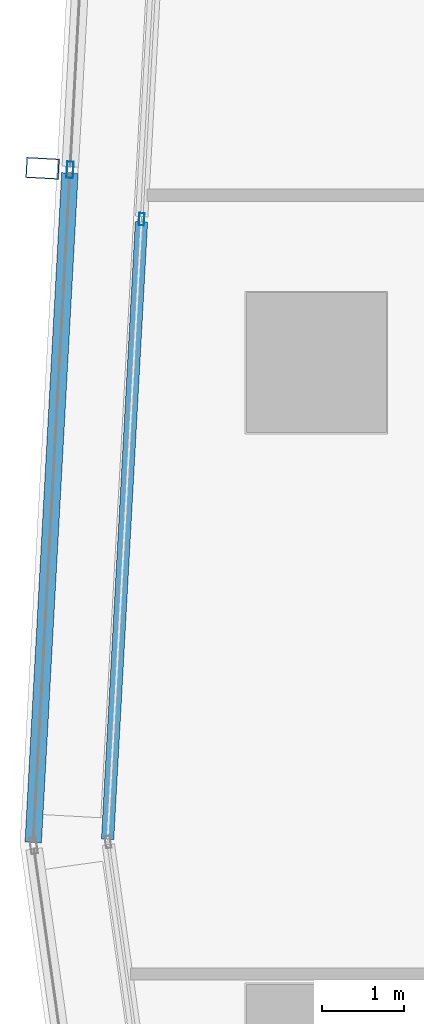
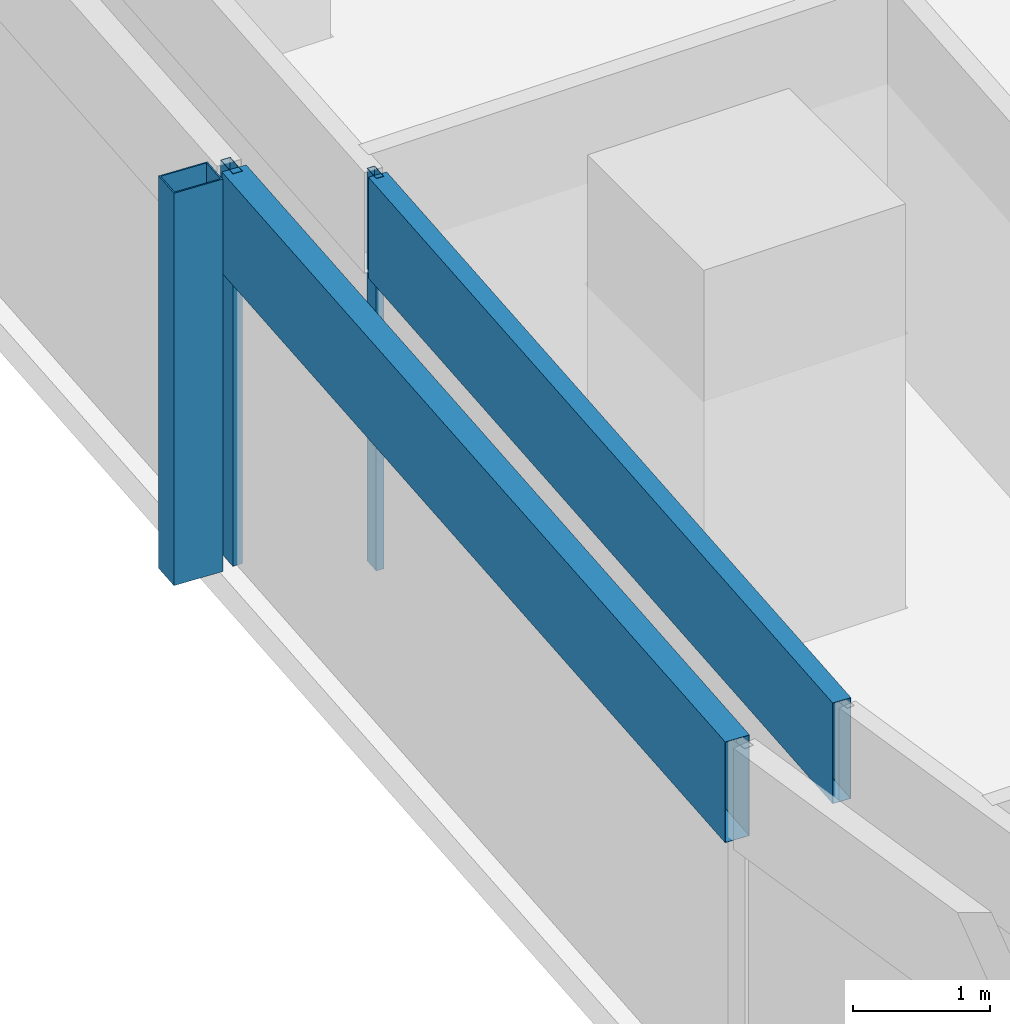
# One storey, part 7 of 40: 5 members, 2 elements without a shape of their own.
"""IFC4 building model written with IfcOpenShell, lengths in metres."""

from ifc_helpers import new_model, si_unit, direction, frame, origin, origin_2d, place, context, subcontext, project, spatial, hollow_rectangle, extrude, material, material_profile, profile_set, type_object, element, aggregate, save


model = new_model("IFC4")

# Units and contexts
model_context = context("Model", 3, precision=1e-05, world=origin(), true_north=direction((0.0, 1.0)))
body_context = subcontext(model_context, "Body", "Model", "MODEL_VIEW")
ifc_project = project(units=[si_unit("LENGTHUNIT", "METRE"), si_unit("AREAUNIT", "SQUARE_METRE"), si_unit("VOLUMEUNIT", "CUBIC_METRE"), si_unit("PLANEANGLEUNIT", "RADIAN"), si_unit("MASSUNIT", "GRAM", prefix="KILO")], contexts=[model_context])

# Site, building, storey
site_placement = place(None, origin())
site = spatial("IfcSite", under=ifc_project, at=site_placement, CompositionType="ELEMENT")
building_placement = place(site_placement, origin())
building = spatial("IfcBuilding", under=site, at=building_placement, Name="Rekha Terrace Tower", CompositionType="ELEMENT")
storey_placement = place(building_placement, frame((0.0, 0.0, 106.550048828125)))
storey = spatial("IfcBuildingStorey", under=building, at=storey_placement, Name="L26", CompositionType="ELEMENT", Elevation=106.550048828125)

# Curtain wall, member
ifc_material_1 = material(Name="Aluminium framing", Category="aluminium")
curtain_wall_type_1 = type_object("IfcCurtainWallType", Name="CW2 double skin outer glazing", PredefinedType="USERDEFINED", material=ifc_material_1)
curtain_wall_1_placement = place(storey_placement, origin())
curtain_wall_1 = element("IfcCurtainWall", 1, at=curtain_wall_1_placement, inside=storey, type_object=curtain_wall_type_1, Name="CW2 double skin outer glazing", ObjectType="DOUBLE SKIN OUTER GLAZING", PredefinedType="USERDEFINED")
ifc_material_2 = material(Name="Steel S355 with fluorocarbon finish", Category="steel")
ifc_material_profile_1 = material_profile(ifc_material_2, hollow_rectangle(XDim=0.25, YDim=0.39990234375, WallThickness=0.012451171875, at=origin_2d()), Name="RHS400x250x12.5")
ifc_profile_set_1 = profile_set([ifc_material_profile_1], Name="Steel S355 with fluorocarbon finish")
member_type_1 = type_object("IfcMemberType", Name="BL1 facade blade RHS 400 x 250", PredefinedType="USERDEFINED", material=ifc_profile_set_1)
member_1_placement = place(storey_placement, frame((5.073974609375, 35.9609375, 0.0), z_axis=(0.0, 0.0, 1.0), x_axis=(-0.054742798353, -0.998500488747, 0.0)))
member_1 = element("IfcMember", 2, at=member_1_placement, type_object=member_type_1, Name="Facade blade", ObjectType="FACADE BLADE", PredefinedType="USERDEFINED", context=body_context, shape_type="SweptSolid", body=[
    extrude(hollow_rectangle(XDim=0.25, YDim=0.39990234375, WallThickness=0.012451171875, at=origin_2d()), origin(), (0.0, 0.0, 1.0), 3.5),
])

# Curtain wall, members
curtain_wall_type_2 = type_object("IfcCurtainWallType", Name="CW1 double skin inner glazing", PredefinedType="USERDEFINED", material=ifc_material_1)
curtain_wall_2_placement = place(storey_placement, origin())
curtain_wall_2 = element("IfcCurtainWall", 3, at=curtain_wall_2_placement, inside=storey, type_object=curtain_wall_type_2, Name="CW1 double skin inner glazing", ObjectType="DOUBLE SKIN INNER GLAZING", PredefinedType="USERDEFINED")
ifc_material_3 = material(Name="Aluminium mullion section", Category="aluminium")
ifc_material_profile_2 = material_profile(ifc_material_3, hollow_rectangle(XDim=0.06494140625, YDim=0.14990234375, WallThickness=0.00390625, at=origin_2d()), Name="AL RHS 65x150")
ifc_profile_set_2 = profile_set([ifc_material_profile_2], Name="Aluminium mullion section")
member_type_2 = type_object("IfcMemberType", Name="CW1 mullion RHS 65 x 150", PredefinedType="MULLION", material=ifc_profile_set_2)
member_2_placement = place(storey_placement, frame((6.27685546875, 35.343017578125, 0.0), z_axis=(0.0, 0.0, 1.0), x_axis=(0.99850051318, -0.054742352707, 0.0)))
member_2 = element("IfcMember", 4, at=member_2_placement, type_object=member_type_2, Name="CW1 mullion 4", PredefinedType="MULLION", context=body_context, shape_type="SweptSolid", body=[
    extrude(hollow_rectangle(XDim=0.06494140625, YDim=0.14990234375, WallThickness=0.00390625, at=origin_2d()), origin(), (0.0, 0.0, 1.0), 3.5),
])
ifc_material_4 = material(Name="Insulated aluminium spandrel box", Category="aluminium")
ifc_material_profile_3 = material_profile(ifc_material_4, hollow_rectangle(XDim=0.14990234375, YDim=0.89990234375, WallThickness=0.0029296875, at=origin_2d()), Name="AL SPANDREL BOX 150x900")
ifc_profile_set_3 = profile_set([ifc_material_profile_3], Name="Insulated aluminium spandrel box")
member_type_3 = type_object("IfcMemberType", Name="CW1 spandrel transom 150 x 900", PredefinedType="USERDEFINED", material=ifc_profile_set_3)
member_3_placement = place(storey_placement, frame((6.275146484375, 35.310546875, 3.050048828125), z_axis=(-0.054756855706, -0.998499717953, 0.0), x_axis=(0.998499717953, -0.054756855706, 0.0)))
member_3 = element("IfcMember", 5, at=member_3_placement, type_object=member_type_3, Name="CW1 spandrel transom 4", ObjectType="TRANSOM", PredefinedType="USERDEFINED", context=body_context, shape_type="SweptSolid", body=[
    extrude(hollow_rectangle(XDim=0.14990234375, YDim=0.89990234375, WallThickness=0.0029296875, at=origin_2d()), origin(), (0.0, 0.0, 1.0), 7.50830078125),
])
aggregate(curtain_wall_2, [member_2, member_3])

# Member
ifc_material_profile_4 = material_profile(ifc_material_3, hollow_rectangle(XDim=0.080078125, YDim=0.199951171875, WallThickness=0.00390625, at=origin_2d()), Name="AL RHS 80x200")
ifc_profile_set_4 = profile_set([ifc_material_profile_4], Name="Aluminium mullion section")
member_type_4 = type_object("IfcMemberType", Name="CW2 mullion RHS 80 x 200", PredefinedType="MULLION", material=ifc_profile_set_4)
member_4_placement = place(storey_placement, frame((5.408447265625, 35.942626953125, 0.0), z_axis=(0.0, 0.0, 1.0), x_axis=(0.99850051318, -0.054742352707, 0.0)))
member_4 = element("IfcMember", 6, at=member_4_placement, type_object=member_type_4, Name="CW2 mullion 4", PredefinedType="MULLION", context=body_context, shape_type="SweptSolid", body=[
    extrude(hollow_rectangle(XDim=0.080078125, YDim=0.199951171875, WallThickness=0.00390625, at=origin_2d()), origin(), (0.0, 0.0, 1.0), 3.5),
])

ifc_material_profile_5 = material_profile(ifc_material_4, hollow_rectangle(XDim=0.199951171875, YDim=0.89990234375, WallThickness=0.0029296875, at=origin_2d()), Name="AL SPANDREL BOX 200x900")
ifc_profile_set_5 = profile_set([ifc_material_profile_5], Name="Insulated aluminium spandrel box")
member_type_5 = type_object("IfcMemberType", Name="CW2 spandrel transom 200 x 900", PredefinedType="USERDEFINED", material=ifc_profile_set_5)
member_5_placement = place(storey_placement, frame((5.40625, 35.902587890625, 3.050048828125), z_axis=(-0.054737434401, -0.998500782812, 0.0), x_axis=(0.998500782812, -0.054737434401, 0.0)))
member_5 = element("IfcMember", 7, at=member_5_placement, type_object=member_type_5, Name="CW2 spandrel transom 4", ObjectType="TRANSOM", PredefinedType="USERDEFINED", context=body_context, shape_type="SweptSolid", body=[
    extrude(hollow_rectangle(XDim=0.199951171875, YDim=0.89990234375, WallThickness=0.0029296875, at=origin_2d()), origin(), (0.0, 0.0, 1.0), 8.139892578125),
])

aggregate(curtain_wall_1, [member_4, member_5, member_1])

save(model, "model.ifc")
